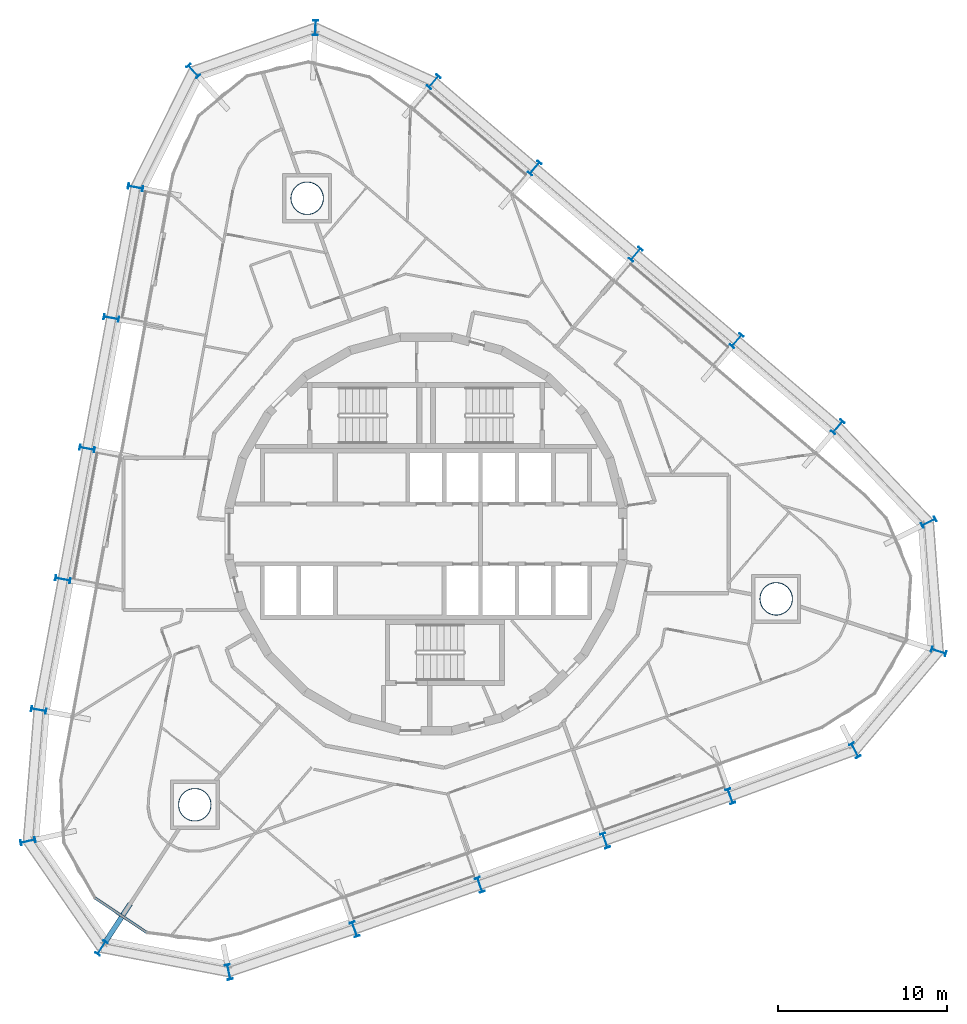
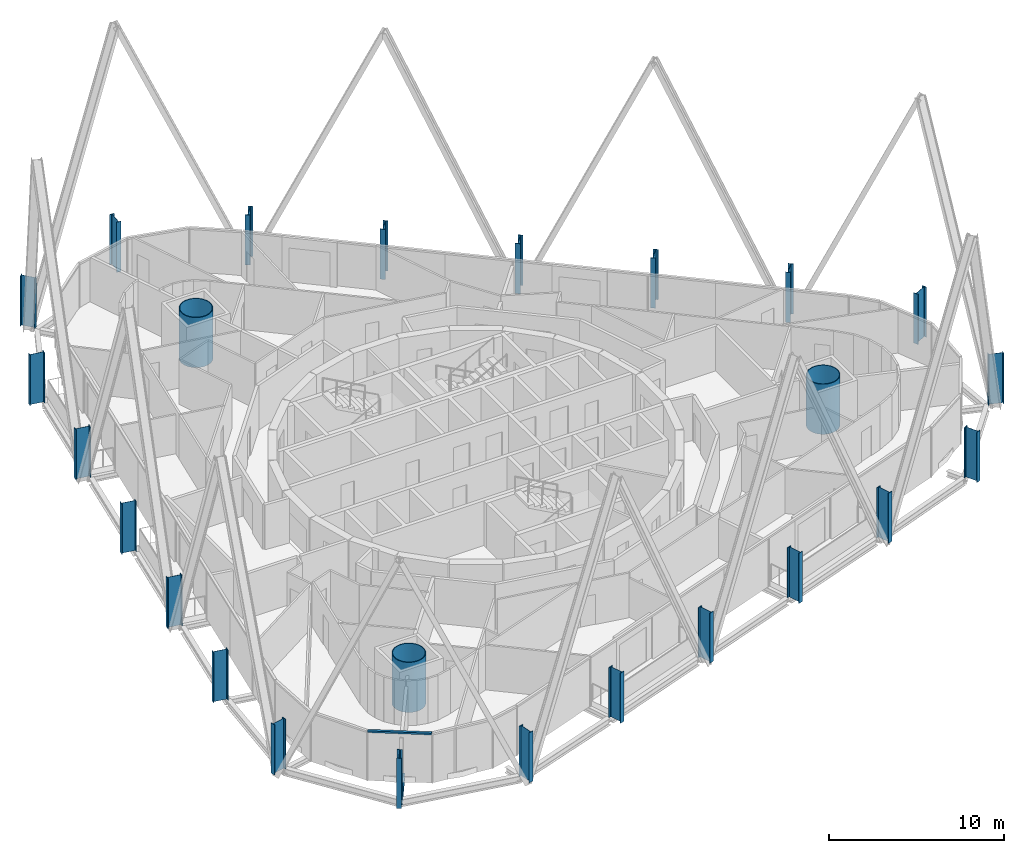
# One storey, part 1 of 17: 25 columns, 1 beam, 1 member, 1 element without a shape of its own.
"""IFC4 building model written with IfcOpenShell, lengths in metres."""

from ifc_helpers import new_model, si_unit, direction, frame, origin, origin_2d, place, context, subcontext, project, spatial, rectangle, hollow_circle, i_section, extrude, material, layer, layer_set, material_profile, profile_set, type_object, element, aggregate, save


model = new_model("IFC4")

# Units and contexts
model_context = context("Model", 3, precision=1e-05, world=origin(), true_north=direction((0.0, 1.0)))
body_context = subcontext(model_context, "Body", "Model", "MODEL_VIEW")
ifc_project = project(units=[si_unit("LENGTHUNIT", "METRE"), si_unit("AREAUNIT", "SQUARE_METRE"), si_unit("VOLUMEUNIT", "CUBIC_METRE"), si_unit("PLANEANGLEUNIT", "RADIAN"), si_unit("MASSUNIT", "GRAM", prefix="KILO")], contexts=[model_context])

# Site, building, storey
site_placement = place(None, origin())
site = spatial("IfcSite", under=ifc_project, at=site_placement, CompositionType="ELEMENT")
building_placement = place(site_placement, origin())
building = spatial("IfcBuilding", under=site, at=building_placement, Name="Spindle Arch Residences", CompositionType="ELEMENT")
storey_placement = place(building_placement, frame((0.0, 0.0, 165.699951171875)))
storey = spatial("IfcBuildingStorey", under=building, at=storey_placement, Name="L41", CompositionType="ELEMENT", Elevation=165.699951171875)

# Columns
ifc_material_1 = material(Name="Steel S460ML, intumescent coating R 240", Category="steel")
ifc_material_profile_1 = material_profile(ifc_material_1, i_section(OverallWidth=0.300048828125, OverallDepth=0.89990234375, WebThickness=0.0185546875, FlangeThickness=0.034912109375, FilletRadius=0.030029296875, at=origin_2d()), Name="HEB 900")
ifc_profile_set_1 = profile_set([ifc_material_profile_1], Name="Steel S460ML, intumescent coating R 240")
column_type_1 = type_object("IfcColumnType", Name="Exoskeleton post HEB 900", PredefinedType="COLUMN", material=ifc_profile_set_1)
for number, where, z_axis, x_axis, name in (
    (1, (10.592041015625, -18.1376953125, -0.3798828125), (0.0, 0.0, 1.0), (-0.942641392079, -0.333807138839, 0.0), "Exoskeleton post 1"),
    (2, (18.001220703125, -15.513916015625, -0.3798828125), (0.0, 0.0, 1.0), (-0.942641392079, -0.333807138839, 0.0), "Exoskeleton post 2"),
    (3, (25.37353515625, -12.79931640625, -0.3798828125), (0.0, 0.0, 1.0), (-0.887176487998, -0.461430253823, 0.0), "Exoskeleton post 3"),
    (4, (30.322509765625, -6.948486328125, -0.3798828125), (0.0, 0.0, 1.0), (-0.307880057726, -0.95142517838, 0.0), "Exoskeleton post 4"),
    (5, (29.739501953125, 0.6923828125, -0.3798828125), (0.0, 0.0, 1.0), (0.448657012727, -0.893704025352, 0.0), "Exoskeleton post 5"),
    (6, (24.357666015625, 6.330810546875, -0.3798828125), (0.0, 0.0, 1.0), (0.76040600398, -0.649448003393, 0.0), "Exoskeleton post 6"),
    (7, (18.380615234375, 11.435546875, -0.3798828125), (0.0, 0.0, 1.0), (0.76040600398, -0.649448003393, 0.0), "Exoskeleton post 7"),
    (8, (12.40380859375, 16.540283203125, -0.3798828125), (0.0, 0.0, 1.0), (0.76040600398, -0.649448003393, 0.0), "Exoskeleton post 8"),
    (9, (6.427001953125, 21.64501953125, -0.3798828125), (0.0, 0.0, 1.0), (0.76040600398, -0.649448003393, 0.0), "Exoskeleton post 9"),
    (10, (0.4501953125, 26.74951171875, -0.3798828125), (0.0, 0.0, 1.0), (0.76040600398, -0.649448003393, 0.0), "Exoskeleton post 10"),
    (11, (-6.53955078125, 29.945556640625, -0.3798828125), (0.0, 0.0, 1.0), (0.998810817099, -0.048753991075, 0.0), "Exoskeleton post 11"),
    (12, (-13.76318359375, 27.387451171875, -0.3798828125), (0.0, 0.0, 1.0), (0.745539941806, 0.666460947972, 0.0), "Exoskeleton post 12"),
    (13, (-17.183837890625, 20.505126953125, -0.3798828125), (0.0, 0.0, 1.0), (0.182235967681, 0.983254825609, 0.0), "Exoskeleton post 13"),
    (14, (-18.6162109375, 12.776611328125, -0.3798828125), (0.0, 0.0, 1.0), (0.182235967681, 0.983254825609, 0.0), "Exoskeleton post 14"),
    (15, (-20.048583984375, 5.048095703125, -0.3798828125), (0.0, 0.0, 1.0), (0.182235967681, 0.983254825609, 0.0), "Exoskeleton post 15"),
    (16, (-21.481201171875, -2.680419921875, -0.3798828125), (0.0, 0.0, 1.0), (0.182235967681, 0.983254825609, 0.0), "Exoskeleton post 16"),
    (17, (-22.91357421875, -10.40869140625, -0.3798828125), (0.0, 0.0, 1.0), (0.182235967681, 0.983254825609, 0.0), "Exoskeleton post 17"),
    (18, (-23.5478515625, -18.177490234375, -0.3798828125), (0.0, 0.0, 1.0), (-0.213754108667, 0.976887496607, 0.0), "Exoskeleton post 18"),
    (19, (-19.192138671875, -24.482666015625, -0.3798828125), (0.0, 0.0, 1.0), (-0.838019022948, 0.545641014933, 0.0), "Exoskeleton post 19"),
    (20, (-11.6640625, -25.9150390625, -0.3798828125), (0.0, 0.0, 1.0), (-0.979853205488, -0.199719041891, 0.0), "Exoskeleton post 20"),
    (21, (-4.226318359375, -23.385009765625, -0.3798828125), (0.0, 0.0, 1.0), (-0.942641392079, -0.333807138839, 0.0), "Exoskeleton post 21"),
    (22, (3.182861328125, -20.76123046875, -0.3798828125), (0.0, 0.0, 1.0), (-0.942641392079, -0.333807138839, 0.0), "Exoskeleton post 22"),
):
    element("IfcColumn", number, at=place(storey_placement, frame(where, z_axis=z_axis, x_axis=x_axis)), inside=storey, type_object=column_type_1, Name=name, PredefinedType="COLUMN", context=body_context, shape_type="SweptSolid", body=[
        extrude(i_section(OverallWidth=0.300048828125, OverallDepth=0.89990234375, WebThickness=0.0185546875, FlangeThickness=0.034912109375, FilletRadius=0.030029296875, at=origin_2d()), origin(), (0.0, 0.0, 1.0), 3.5),
    ])
ifc_material_2 = material(Name="Concrete C50/60 filled steel tube S460ML, intumescent coating R 240", Category="concrete")
ifc_material_profile_2 = material_profile(ifc_material_2, hollow_circle(Radius=0.97509765625, WallThickness=0.044921875, at=origin_2d()), Name="CFT D1950x45")
ifc_profile_set_2 = profile_set([ifc_material_profile_2], Name="Concrete C50/60 filled steel tube S460ML, intumescent coating R 240")
column_type_2 = type_object("IfcColumnType", Name="Mega-column CFT D1950x45", PredefinedType="COLUMN", material=ifc_profile_set_2)
for number, where, z_axis, x_axis, name in (
    (23, (20.713134765625, -3.839111328125, -0.3798828125), (0.0, 0.0, 1.0), (1.0, 0.0, 0.0), "Mega-column 1"),
    (24, (-7.031982421875, 19.857666015625, -0.3798828125), (0.0, 0.0, 1.0), (1.0, 0.0, 0.0), "Mega-column 2"),
    (25, (-13.68115234375, -16.0185546875, -0.3798828125), (0.0, 0.0, 1.0), (1.0, 0.0, 0.0), "Mega-column 3"),
):
    element("IfcColumn", number, at=place(storey_placement, frame(where, z_axis=z_axis, x_axis=x_axis)), inside=storey, type_object=column_type_2, Name=name, PredefinedType="COLUMN", context=body_context, shape_type="SweptSolid", body=[
        extrude(hollow_circle(Radius=0.97509765625, WallThickness=0.044921875, at=origin_2d()), origin(), (0.0, 0.0, 1.0), 3.5),
    ])

# Curtain wall, member
ifc_material_3 = material(Name="Aluminium bronze unitised frame with tinted glass", Category="aluminium")
ifc_layer = layer(ifc_material_3, 0.159912109375)
ifc_layer_set = layer_set([ifc_layer], Name="CW-D corner wall on the fillet arcs")
curtain_wall_type = type_object("IfcCurtainWallType", Name="CW-D corner wall on the fillet arcs", PredefinedType="NOTDEFINED", material=ifc_layer_set)
curtain_wall_placement = place(storey_placement, origin())
curtain_wall = element("IfcCurtainWall", 26, at=curtain_wall_placement, inside=storey, type_object=curtain_wall_type, Name="CW-D L41 run 5", PredefinedType="NOTDEFINED")
ifc_material_4 = material(Name="Aluminium bronze anodised transom", Category="aluminium")
ifc_material_profile_3 = material_profile(ifc_material_4, rectangle(XDim=0.159912109375, YDim=0.1201171875, at=origin_2d()), Name="TR 120x160")
ifc_profile_set_3 = profile_set([ifc_material_profile_3], Name="Aluminium bronze anodised transom")
member_type = type_object("IfcMemberType", Name="Bronze transom 120x160", PredefinedType="USERDEFINED", material=ifc_profile_set_3)
member_placement = place(storey_placement, frame((-19.58154296875, -21.528564453125, 3.06005859375), z_axis=(0.830623700005, -0.556834148549, 0.0), x_axis=(0.556834148549, 0.830623700005, 0.0)))
member = element("IfcMember", 27, at=member_placement, type_object=member_type, Name="CW-D transom 03", ObjectType="TRANSOM", PredefinedType="USERDEFINED", context=body_context, shape_type="SweptSolid", body=[
    extrude(rectangle(XDim=0.159912109375, YDim=0.1201171875, at=origin_2d()), origin(), (0.0, 0.0, 1.0), 3.666748046875),
])
aggregate(curtain_wall, [member])

# Beam
ifc_material_5 = material(Name="Steel S460ML, intumescent coating R 120", Category="steel")
ifc_material_profile_4 = material_profile(ifc_material_5, i_section(OverallWidth=0.300048828125, OverallDepth=0.389892578125, WebThickness=0.010986328125, FlangeThickness=0.01904296875, FilletRadius=0.027099609375, at=origin_2d()), Name="HEA 400")
ifc_profile_set_4 = profile_set([ifc_material_profile_4], Name="Steel S460ML, intumescent coating R 120")
beam_type = type_object("IfcBeamType", Name="Floor outrigger HEA 400", PredefinedType="BEAM", material=ifc_profile_set_4)
beam_placement = place(storey_placement, frame((-18.94677734375, -24.10546875, -0.574951171875), z_axis=(0.545674675997, 0.837997104992, 0.0), x_axis=(-0.837997104992, 0.545674675997, 0.0)))
element("IfcBeam", 28, at=beam_placement, inside=storey, type_object=beam_type, Name="Floor outrigger 19", PredefinedType="BEAM", context=body_context, shape_type="SweptSolid", body=[
    extrude(i_section(OverallWidth=0.300048828125, OverallDepth=0.389892578125, WebThickness=0.010986328125, FlangeThickness=0.01904296875, FilletRadius=0.027099609375, at=origin_2d()), origin(), (0.0, 0.0, 1.0), 2.64990234375),
])

save(model, "model.ifc")
